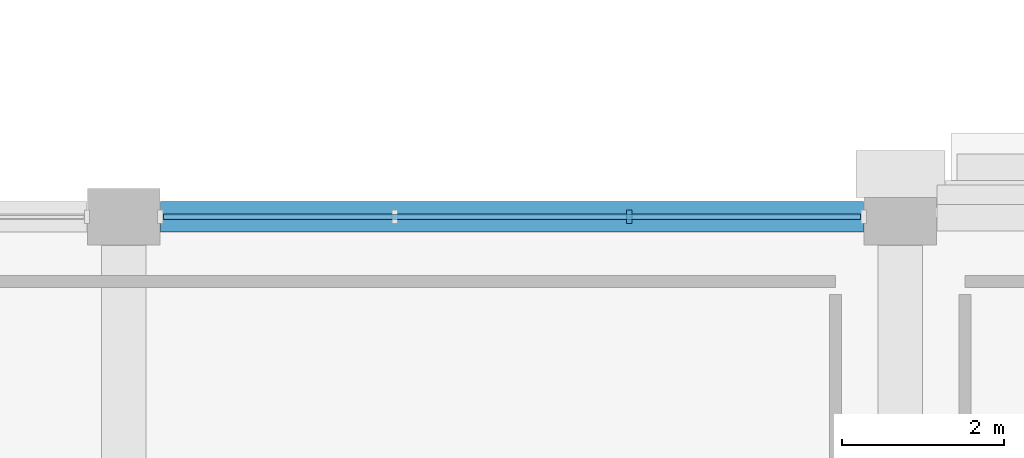
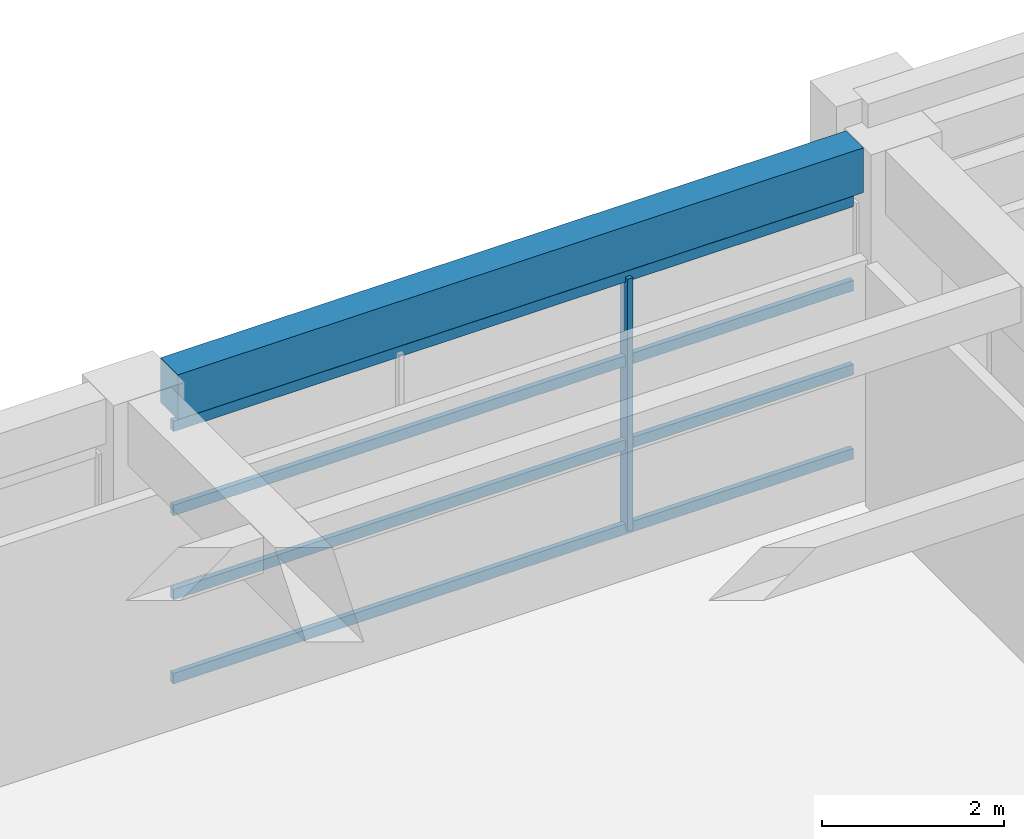
# One storey, part 19 of 49: 5 members, 1 beam, 1 element without a shape of its own.
"""IFC4 building model written with IfcOpenShell, lengths in metres."""

from ifc_helpers import new_model, si_unit, direction, frame, origin, origin_2d, place, context, subcontext, project, spatial, rectangle, extrude, material, layer, layer_set, material_profile, profile_set, type_object, element, aggregate, save


model = new_model("IFC4")

# Units and contexts
model_context = context("Model", 3, precision=1e-05, world=origin(), true_north=direction((0.0, 1.0)))
body_context = subcontext(model_context, "Body", "Model", "MODEL_VIEW")
ifc_project = project(units=[si_unit("LENGTHUNIT", "METRE"), si_unit("AREAUNIT", "SQUARE_METRE"), si_unit("VOLUMEUNIT", "CUBIC_METRE"), si_unit("PLANEANGLEUNIT", "RADIAN"), si_unit("MASSUNIT", "GRAM", prefix="KILO")], contexts=[model_context])

# Site, building, storey
site_placement = place(None, origin())
site = spatial("IfcSite", under=ifc_project, at=site_placement, CompositionType="ELEMENT")
building_placement = place(site_placement, origin())
building = spatial("IfcBuilding", under=site, at=building_placement, Name="Bempovik Park Faculty of Sciences", CompositionType="ELEMENT")
storey_placement = place(building_placement, frame((0.0, 0.0, 5.39990234375)))
storey = spatial("IfcBuildingStorey", under=building, at=storey_placement, Name="L01", CompositionType="ELEMENT", Elevation=5.39990234375)

# Beam
ifc_material_1 = material(Name="Concrete C35/45", Category="concrete")
ifc_material_profile_1 = material_profile(ifc_material_1, rectangle(XDim=0.3798828125, YDim=0.60009765625, at=origin_2d()), Name="RC 380x600")
ifc_profile_set_1 = profile_set([ifc_material_profile_1], Name="Concrete C35/45")
beam_type = type_object("IfcBeamType", Name="B-032 RC 380x600", PredefinedType="SPANDREL", material=ifc_profile_set_1)
beam_placement = place(storey_placement, frame((127.656005859375, 87.0, 3.880126953125), z_axis=(1.0, 0.0, 0.0), x_axis=(0.0, 1.0, 0.0)))
element("IfcBeam", 1, at=beam_placement, inside=storey, type_object=beam_type, Name="L01 Beam X (127.2-136.8, y=87.0)", PredefinedType="SPANDREL", context=body_context, shape_type="SweptSolid", body=[
    extrude(rectangle(XDim=0.3798828125, YDim=0.60009765625, at=origin_2d()), origin(), (0.0, 0.0, 1.0), 8.68798828125),
])

# Curtain wall, members
ifc_material_2 = material(Name="Tempered laminated low-E glass", Category="glass")
ifc_layer = layer(ifc_material_2, 0.159912109375)
ifc_layer_set = layer_set([ifc_layer], Name="Tempered laminated low-E glass")
curtain_wall_type = type_object("IfcCurtainWallType", Name="CW-52 Curtain 6600x4100", PredefinedType="USERDEFINED", material=ifc_layer_set)
curtain_wall_placement = place(storey_placement, origin())
curtain_wall = element("IfcCurtainWall", 2, at=curtain_wall_placement, inside=storey, type_object=curtain_wall_type, Name="L01 Unitised Curtain Wall (87.0,127.2)", ObjectType="UNITISED CURTAIN WALL", PredefinedType="USERDEFINED")
ifc_material_3 = material(Name="Anodised architectural bronze", Category="aluminium")
ifc_material_profile_2 = material_profile(ifc_material_3, rectangle(XDim=0.06494140625, YDim=0.169921875, at=origin_2d()), Name="ALU-M 65x170")
ifc_profile_set_2 = profile_set([ifc_material_profile_2], Name="Anodised architectural bronze")
member_type_1 = type_object("IfcMemberType", Name="ML-15 ALU-M 65x170", PredefinedType="MULLION", material=ifc_profile_set_2)
member_1_placement = place(storey_placement, frame((133.44921875, 87.0, 0.0), z_axis=(0.0, 0.0, 1.0), x_axis=(1.0, 0.0, 0.0)))
member_1 = element("IfcMember", 3, at=member_1_placement, type_object=member_type_1, Name="CW-BAY-L01-870-1272 Mullion 2", PredefinedType="MULLION", context=body_context, shape_type="SweptSolid", body=[
    extrude(rectangle(XDim=0.06494140625, YDim=0.169921875, at=origin_2d()), origin(), (0.0, 0.0, 1.0), 3.380126953125),
])
ifc_material_profile_3 = material_profile(ifc_material_3, rectangle(XDim=0.06494140625, YDim=0.139892578125, at=origin_2d()), Name="ALU-T 65x140")
ifc_profile_set_3 = profile_set([ifc_material_profile_3], Name="Anodised architectural bronze")
member_type_2 = type_object("IfcMemberType", Name="TR-17 ALU-T 65x140", PredefinedType="USERDEFINED", material=ifc_profile_set_3)
member_2_placement = place(storey_placement, frame((127.69189453125, 87.0, 0.0), z_axis=(1.0, 0.0, 0.0), x_axis=(0.0, 1.0, 0.0)))
member_2 = element("IfcMember", 4, at=member_2_placement, type_object=member_type_2, Name="CW-BAY-L01-870-1272 Transom 0", ObjectType="TRANSOM", PredefinedType="USERDEFINED", context=body_context, shape_type="SweptSolid", body=[
    extrude(rectangle(XDim=0.06494140625, YDim=0.139892578125, at=origin_2d()), origin(), (0.0, 0.0, 1.0), 8.6162109375),
])
member_3_placement = place(storey_placement, frame((127.69189453125, 87.0, 1.126708984375), z_axis=(1.0, 0.0, 0.0), x_axis=(0.0, 1.0, 0.0)))
member_3 = element("IfcMember", 5, at=member_3_placement, type_object=member_type_2, Name="CW-BAY-L01-870-1272 Transom 1", ObjectType="TRANSOM", PredefinedType="USERDEFINED", context=body_context, shape_type="SweptSolid", body=[
    extrude(rectangle(XDim=0.06494140625, YDim=0.139892578125, at=origin_2d()), origin(), (0.0, 0.0, 1.0), 8.6162109375),
])
member_4_placement = place(storey_placement, frame((127.69189453125, 87.0, 2.25341796875), z_axis=(1.0, 0.0, 0.0), x_axis=(0.0, 1.0, 0.0)))
member_4 = element("IfcMember", 6, at=member_4_placement, type_object=member_type_2, Name="CW-BAY-L01-870-1272 Transom 2", ObjectType="TRANSOM", PredefinedType="USERDEFINED", context=body_context, shape_type="SweptSolid", body=[
    extrude(rectangle(XDim=0.06494140625, YDim=0.139892578125, at=origin_2d()), origin(), (0.0, 0.0, 1.0), 8.6162109375),
])
member_5_placement = place(storey_placement, frame((127.69189453125, 87.0, 3.380126953125), z_axis=(1.0, 0.0, 0.0), x_axis=(0.0, 1.0, 0.0)))
member_5 = element("IfcMember", 7, at=member_5_placement, type_object=member_type_2, Name="CW-BAY-L01-870-1272 Transom 3", ObjectType="TRANSOM", PredefinedType="USERDEFINED", context=body_context, shape_type="SweptSolid", body=[
    extrude(rectangle(XDim=0.06494140625, YDim=0.139892578125, at=origin_2d()), origin(), (0.0, 0.0, 1.0), 8.6162109375),
])
aggregate(curtain_wall, [member_1, member_2, member_3, member_4, member_5])

save(model, "model.ifc")
